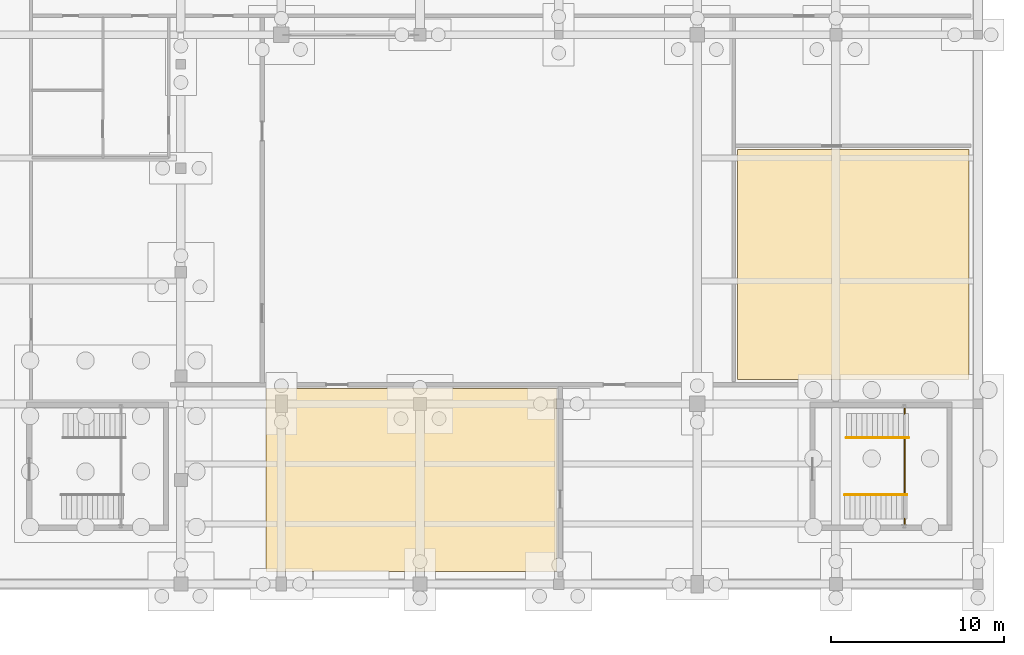
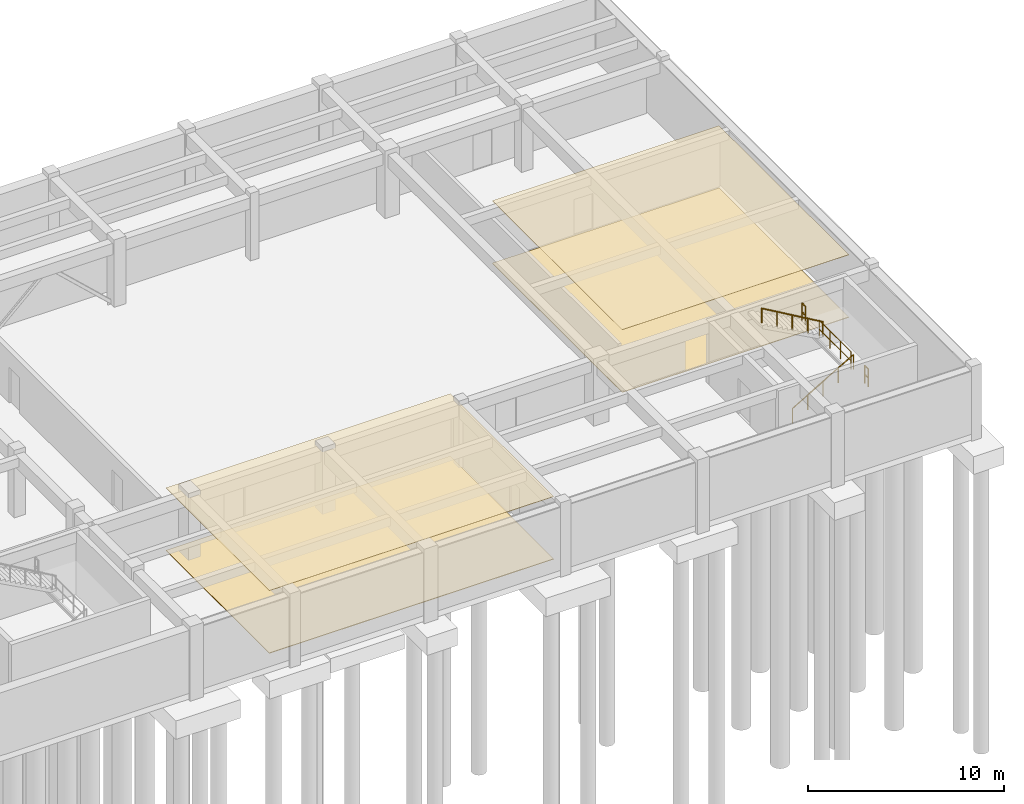
# One storey, part 35 of 36: 5 railings, 4 coverings.
"""IFC4 building model written with IfcOpenShell, lengths in metres."""

import ifcopenshell
import ifcopenshell.guid

model = None  # the IFC model being written
_history = None  # IfcOwnerHistory: only IFC2X3 demands one
_inside = {}  # id of a spatial element -> (the spatial element, [elements in it])
_under = {}  # id of a project, library or spatial element -> (it, [spatial elements below it])
_declared = {}  # id of a project -> (the project, [libraries it declares])
_typed = {}  # id of a type object -> (the type object, [elements of that type])
_made_of = {}  # id of a material, layer set ... -> (it, [elements and type objects made of it])


def new_model(schema):
    """Start an empty IFC model of exactly this schema.

    Asked for "IFC4X3", IfcOpenShell would pick the latest addendum, in which some entities
    have other attributes; the version numbers below select the first issue.
    IFC2X3 requires an IfcOwnerHistory on every rooted entity: one is made here for all.
    """
    global model, _history
    if schema == "IFC4X3":
        model = ifcopenshell.file(schema_version=(4, 3, 0, 0))
    else:
        model = ifcopenshell.file(schema=schema)
    _inside.clear()
    _under.clear()
    _declared.clear()
    _typed.clear()
    _made_of.clear()
    _history = None
    if model.schema == "IFC2X3":
        org = make("IfcOrganization", Name="unknown")
        user = make(
            "IfcPersonAndOrganization",
            ThePerson=make("IfcPerson", FamilyName="unknown"),
            TheOrganization=org,
        )
        app = make(
            "IfcApplication",
            ApplicationDeveloper=org,
            Version="unknown",
            ApplicationFullName="unknown",
            ApplicationIdentifier="unknown",
        )
        _history = make(
            "IfcOwnerHistory",
            OwningUser=user,
            OwningApplication=app,
            ChangeAction="ADDED",
            CreationDate=0,
        )
    return model


def make(cls, **values):
    """One entity of the class cls with the attributes given. An attribute that is None is left unset."""
    return model.create_entity(
        cls, **{name: value for name, value in values.items() if value is not None}
    )


def rooted(cls, **values):
    """An entity with a GlobalId (a new one), such as an element, a storey or a relation."""
    return make(cls, GlobalId=ifcopenshell.guid.new(), OwnerHistory=_history, **values)


def si_unit(unit_type, name, prefix=None):
    """IfcSIUnit, for example si_unit("LENGTHUNIT", "METRE", prefix="MILLI")."""
    return make("IfcSIUnit", UnitType=unit_type, Prefix=prefix, Name=name)


def assignment(units):
    """IfcUnitAssignment: the units of a project."""
    return None if units is None else make("IfcUnitAssignment", Units=units)


def point(xyz):
    """IfcCartesianPoint."""
    return None if xyz is None else make("IfcCartesianPoint", Coordinates=xyz)


def direction(xyz):
    """IfcDirection."""
    return None if xyz is None else make("IfcDirection", DirectionRatios=xyz)


def frame(location, z_axis=None, x_axis=None):
    """IfcAxis2Placement3D, a coordinate frame: its origin and axes. An axis left out is left unset."""
    return make(
        "IfcAxis2Placement3D",
        Location=point(location),
        Axis=direction(z_axis),
        RefDirection=direction(x_axis),
    )


def frame_2d(location, x_axis=None):
    """IfcAxis2Placement2D, a coordinate frame in the plane: its origin and x axis."""
    return make(
        "IfcAxis2Placement2D", Location=point(location), RefDirection=direction(x_axis)
    )


def origin():
    """The frame at (0, 0, 0) with its axes left unset."""
    return frame((0.0, 0.0, 0.0))


def origin_2d():
    """The frame at (0, 0) in the plane with its x axis left unset."""
    return frame_2d((0.0, 0.0))


def place(relative_to, where):
    """IfcLocalPlacement: puts the frame where relative to a parent placement (None: the world)."""
    return make(
        "IfcLocalPlacement", PlacementRelTo=relative_to, RelativePlacement=where
    )


def context(
    kind, dimensions, precision=None, world=None, true_north=None, identifier=None
):
    """IfcGeometricRepresentationContext, for example the 3D "Model" context."""
    return make(
        "IfcGeometricRepresentationContext",
        ContextIdentifier=identifier,
        ContextType=kind,
        CoordinateSpaceDimension=dimensions,
        Precision=precision,
        WorldCoordinateSystem=world,
        TrueNorth=true_north,
    )


def subcontext(parent, identifier, kind, view, scale=None):
    """IfcGeometricRepresentationSubContext, for example "Body" below "Model"."""
    return make(
        "IfcGeometricRepresentationSubContext",
        ContextIdentifier=identifier,
        ContextType=kind,
        ParentContext=parent,
        TargetScale=scale,
        TargetView=view,
    )


def project(units=None, contexts=None):
    """IfcProject with its units and contexts."""
    return rooted(
        "IfcProject",
        Name="project",
        RepresentationContexts=contexts,
        UnitsInContext=assignment(units),
    )


def spatial(cls, under=None, at=None, **own):
    """A site, building, storey or space (cls), placed at a placement, below another one or the project."""
    s = rooted(cls, ObjectPlacement=at, **own)
    if under is not None:
        _under.setdefault(under.id(), (under, []))[1].append(s)
    return s


def polyline(points):
    """IfcPolyline through the points."""
    return make("IfcPolyline", Points=[point(p) for p in points])


def profile(cls, at=None, kind="AREA", **sizes):
    """A parametric profile (cls). Its sizes go by their IFC names, for example OverallWidth=200.0."""
    return make(cls, ProfileType=kind, Position=at, **sizes)


def circle(**sizes):
    """IfcCircleProfileDef."""
    return profile("IfcCircleProfileDef", **sizes)


def outline(outer, holes=None, kind="AREA"):
    """IfcArbitraryClosedProfileDef: a profile drawn as a closed curve; with holes, ...WithVoids."""
    if holes is None:
        return make("IfcArbitraryClosedProfileDef", ProfileType=kind, OuterCurve=outer)
    return make(
        "IfcArbitraryProfileDefWithVoids",
        ProfileType=kind,
        OuterCurve=outer,
        InnerCurves=holes,
    )


def extrude(swept, where, along, depth):
    """IfcExtrudedAreaSolid: the profile swept, set in the frame where, extruded along a direction by depth."""
    return make(
        "IfcExtrudedAreaSolid",
        SweptArea=swept,
        Position=where,
        ExtrudedDirection=direction(along),
        Depth=depth,
    )


def shape(context_of_items, identifier, shape_type, items):
    """IfcShapeRepresentation: the items that make up one representation, for example the "Body"."""
    return make(
        "IfcShapeRepresentation",
        ContextOfItems=context_of_items,
        RepresentationIdentifier=identifier,
        RepresentationType=shape_type,
        Items=items,
    )


def material(Name=None, Category=None):
    """IfcMaterial."""
    return make("IfcMaterial", Name=Name, Category=Category)


def layer(
    of_material, thickness, ventilated=None, Name=None, Category=None, Priority=None
):
    """IfcMaterialLayer: one layer of a wall or slab, of a material (None: an air gap)."""
    return make(
        "IfcMaterialLayer",
        Material=of_material,
        LayerThickness=thickness,
        IsVentilated=ventilated,
        Name=Name,
        Category=Category,
        Priority=Priority,
    )


def layer_set(layers, Name=None):
    """IfcMaterialLayerSet."""
    return make("IfcMaterialLayerSet", MaterialLayers=layers, LayerSetName=Name)


def made_of(thing, what):
    """Note that an element or type object is made of a material, layer set ...; save() writes the relation."""
    if what is not None:
        _made_of.setdefault(what.id(), (what, []))[1].append(thing)
    return thing


def type_object(cls, material=None, **own):
    """A type object (cls), such as IfcWallType, which elements share."""
    return made_of(rooted(cls, **own), material)


def element(
    cls,
    number,
    at=None,
    inside=None,
    cuts=None,
    type_object=None,
    material=None,
    context=None,
    identifier="Body",
    shape_type=None,
    held_by="IfcProductDefinitionShape",
    body=None,
    shapes=None,
    **own,
):
    """One element of the class cls, such as IfcWall. Its Tag is "e" and its number.

    at: its placement. inside: the storey or other place that contains it. cuts: it is an
    opening in that element (IfcRelVoidsElement). A single representation is given by context,
    identifier, shape_type and body (its items); several are given by shapes. held_by: the class
    of the entity that holds the representations. save() writes the other relations.
    """
    e = rooted(cls, Tag="e%d" % number, ObjectPlacement=at, **own)
    if body is not None:
        shapes = [shape(context, identifier, shape_type, body)]
    if shapes is not None:
        e.Representation = make(held_by, Representations=shapes)
    if inside is not None:
        _inside.setdefault(inside.id(), (inside, []))[1].append(e)
    if cuts is not None:
        rooted(
            "IfcRelVoidsElement", RelatingBuildingElement=cuts, RelatedOpeningElement=e
        )
    if type_object is not None:
        _typed.setdefault(type_object.id(), (type_object, []))[1].append(e)
    return made_of(e, material)


def aggregate(whole, parts):
    """IfcRelAggregates: a whole, such as a stair, and the parts it consists of."""
    return rooted("IfcRelAggregates", RelatingObject=whole, RelatedObjects=parts)


def save(model, path):
    """Write the relations noted so far, then the file.

    IfcRelAggregates (storeys below a building ...), IfcRelContainedInSpatialStructure (elements
    in a storey), IfcRelDefinesByType, IfcRelAssociatesMaterial and IfcRelDeclares: one each for
    every whole, place, type object, material and project.
    """
    for whole, parts in _under.values():
        aggregate(whole, parts)
    for where, things in _inside.values():
        rooted(
            "IfcRelContainedInSpatialStructure",
            RelatedElements=things,
            RelatingStructure=where,
        )
    for kind, things in _typed.values():
        rooted("IfcRelDefinesByType", RelatedObjects=things, RelatingType=kind)
    for what, things in _made_of.values():
        rooted("IfcRelAssociatesMaterial", RelatedObjects=things, RelatingMaterial=what)
    for by, libraries in _declared.values():
        rooted("IfcRelDeclares", RelatingContext=by, RelatedDefinitions=libraries)
    model.write(path)


model = new_model("IFC4")

# Units and contexts
model_context = context("Model", 3, precision=1e-05, world=origin(), true_north=direction((0.0, 1.0)))
body_context = subcontext(model_context, "Body", "Model", "MODEL_VIEW")
ifc_project = project(units=[si_unit("LENGTHUNIT", "METRE"), si_unit("AREAUNIT", "SQUARE_METRE"), si_unit("VOLUMEUNIT", "CUBIC_METRE"), si_unit("PLANEANGLEUNIT", "RADIAN"), si_unit("MASSUNIT", "GRAM", prefix="KILO"), si_unit("THERMODYNAMICTEMPERATUREUNIT", "KELVIN"), si_unit("POWERUNIT", "WATT")], contexts=[model_context])

# Site, building, storey
site_placement = place(None, origin())
site = spatial("IfcSite", under=ifc_project, at=site_placement, CompositionType="ELEMENT")
building_placement = place(site_placement, origin())
building = spatial("IfcBuilding", under=site, at=building_placement, Name="Solvatero Civic Police Headquarters", CompositionType="ELEMENT")
storey_placement = place(building_placement, frame((0.0, 0.0, -8.39990234375)))
storey = spatial("IfcBuildingStorey", under=building, at=storey_placement, Name="B02", CompositionType="ELEMENT", Elevation=-8.39990234375)

# Coverings
ifc_material_1 = material(Name="Mineral-Fibre Acoustic Tile", Category="gypsum")
ifc_layer_1 = layer(ifc_material_1, 0.02490234375)
ifc_layer_set_1 = layer_set([ifc_layer_1], Name="Mineral-Fibre Acoustic Tile")
covering_type_1 = type_object("IfcCoveringType", Name="COV-CEIL-AC", PredefinedType="CEILING", material=ifc_layer_set_1)
covering_1_placement = place(storey_placement, frame((0.0, 0.0, 3.89501953125)))
element("IfcCovering", 1, at=covering_1_placement, inside=storey, type_object=covering_type_1, Name="Acoustic Ceiling Central Police Armoury Strongroom", PredefinedType="CEILING", context=body_context, shape_type="SweptSolid", body=[
    extrude(outline(polyline([(127.1201171875, 5.52001953125), (127.1201171875, 16.080078125), (143.8798828125, 16.080078125), (143.8798828125, 5.52001953125), (127.1201171875, 5.52001953125)])), origin(), (0.0, 0.0, 1.0), 0.02490234375),
])
covering_2_placement = place(storey_placement, frame((0.0, 0.0, 3.89501953125)))
element("IfcCovering", 2, at=covering_2_placement, inside=storey, type_object=covering_type_1, Name="Acoustic Ceiling Potable and Fire-Sprinkler Reserve Tank Hall", PredefinedType="CEILING", context=body_context, shape_type="SweptSolid", body=[
    extrude(outline(polyline([(154.320068359375, 16.6201171875), (154.320068359375, 29.8798828125), (167.679931640625, 29.8798828125), (167.679931640625, 16.6201171875), (154.320068359375, 16.6201171875)])), origin(), (0.0, 0.0, 1.0), 0.02490234375),
])
ifc_material_2 = material(Name="Venetian Terrazzo Stone", Category="masonry")
ifc_layer_2 = layer(ifc_material_2, 0.034912109375)
ifc_layer_set_2 = layer_set([ifc_layer_2], Name="Venetian Terrazzo Stone")
covering_type_2 = type_object("IfcCoveringType", Name="COV-FLR-TER", PredefinedType="FLOORING", material=ifc_layer_set_2)
covering_3_placement = place(storey_placement, origin())
element("IfcCovering", 3, at=covering_3_placement, inside=storey, type_object=covering_type_2, Name="Flooring Central Police Armoury Strongroom", PredefinedType="FLOORING", context=body_context, shape_type="SweptSolid", body=[
    extrude(outline(polyline([(127.1201171875, 5.52001953125), (127.1201171875, 16.080078125), (143.8798828125, 16.080078125), (143.8798828125, 5.52001953125), (127.1201171875, 5.52001953125)])), origin(), (0.0, 0.0, 1.0), 0.034912109375),
])
covering_4_placement = place(storey_placement, origin())
element("IfcCovering", 4, at=covering_4_placement, inside=storey, type_object=covering_type_2, Name="Flooring Potable and Fire-Sprinkler Reserve Tank Hall", PredefinedType="FLOORING", context=body_context, shape_type="SweptSolid", body=[
    extrude(outline(polyline([(154.320068359375, 16.6201171875), (154.320068359375, 29.8798828125), (167.679931640625, 29.8798828125), (167.679931640625, 16.6201171875), (154.320068359375, 16.6201171875)])), origin(), (0.0, 0.0, 1.0), 0.034912109375),
])

# Railings
ifc_material_3 = material(Name="Painted Galvanized Steel", Category="steel")
railing_type_1 = type_object("IfcRailingType", Name="RL-GRD-110", PredefinedType="GUARDRAIL", material=ifc_material_3)
railing_1_placement = place(storey_placement, frame((163.969970703125, 9.97998046875, 2.099853515625)))
element("IfcRailing", 5, at=railing_1_placement, inside=storey, type_object=railing_type_1, Name="ST-C6 B02 Half-Landing Well Guardrail", PredefinedType="GUARDRAIL", context=body_context, shape_type="SweptSolid", body=[
    extrude(circle(Radius=0.02392578125, at=origin_2d()), frame((0.0, 0.0, 1.09619140625), z_axis=(0.0, 1.0, 0.0), x_axis=(-1.0, 0.0, 0.0)), (0.0, 0.0, 1.0), 3.239990234375),
    extrude(circle(Radius=0.02392578125, at=origin_2d()), frame((0.0, 0.0, 0.5361328125), z_axis=(0.0, 1.0, 0.0), x_axis=(-1.0, 0.0, 0.0)), (0.0, 0.0, 1.0), 3.239990234375),
    extrude(circle(Radius=0.02099609375, at=origin_2d()), origin(), (0.0, 0.0, 1.0), 1.072021484375),
    extrude(circle(Radius=0.02099609375, at=origin_2d()), frame((0.0, 1.080078125, 0.0)), (0.0, 0.0, 1.0), 1.072021484375),
    extrude(circle(Radius=0.02099609375, at=origin_2d()), frame((0.0, 2.159912109375, 0.0)), (0.0, 0.0, 1.0), 1.072021484375),
    extrude(circle(Radius=0.02099609375, at=origin_2d()), frame((0.0, 3.239990234375, 0.0)), (0.0, 0.0, 1.0), 1.072021484375),
])
for number, where, name in (
    (6, (163.969970703125, 8.2099609375, 2.099853515625), "ST-C6 B02 Half-Landing South Slot Guardrail"),
    (7, (163.969970703125, 14.6298828125, 2.099853515625), "ST-C6 B02 Half-Landing North Slot Guardrail"),
):
    element("IfcRailing", number, at=place(storey_placement, frame(where)), inside=storey, type_object=railing_type_1, Name=name, PredefinedType="GUARDRAIL", context=body_context, shape_type="SweptSolid", body=[
        extrude(circle(Radius=0.02392578125, at=origin_2d()), frame((0.0, 0.0, 1.09619140625), z_axis=(0.0, 1.0, 0.0), x_axis=(-1.0, 0.0, 0.0)), (0.0, 0.0, 1.0), 0.360107421875),
        extrude(circle(Radius=0.02392578125, at=origin_2d()), frame((0.0, 0.0, 0.5361328125), z_axis=(0.0, 1.0, 0.0), x_axis=(-1.0, 0.0, 0.0)), (0.0, 0.0, 1.0), 0.360107421875),
        extrude(circle(Radius=0.02099609375, at=origin_2d()), origin(), (0.0, 0.0, 1.0), 1.072021484375),
        extrude(circle(Radius=0.02099609375, at=origin_2d()), frame((0.0, 0.360107421875, 0.0)), (0.0, 0.0, 1.0), 1.072021484375),
    ])
ifc_material_4 = material(Name="Brushed Stainless Steel", Category="steel")
railing_type_2 = type_object("IfcRailingType", Name="RL-HND-092", PredefinedType="HANDRAIL", material=ifc_material_4)
railing_2_placement = place(storey_placement, frame((160.5, 9.949951171875, 0.0)))
element("IfcRailing", 8, at=railing_2_placement, inside=storey, type_object=railing_type_2, Name="ST-C6 B02 Flight 1 Handrail", PredefinedType="HANDRAIL", context=body_context, shape_type="SweptSolid", body=[
    extrude(circle(Radius=0.02392578125, at=origin_2d()), frame((0.0, 0.0, 0.89599609375), z_axis=(0.863800146258, 0.0, 0.503834603144), x_axis=(0.0, 1.0, 0.0)), (0.0, 0.0, 1.0), 4.167724609375),
    extrude(circle(Radius=0.02099609375, at=origin_2d()), origin(), (0.0, 0.0, 1.0), 0.871826171875),
    extrude(circle(Radius=0.02099609375, at=origin_2d()), frame((0.89990234375, 0.0, 0.52490234375)), (0.0, 0.0, 1.0), 0.871826171875),
    extrude(circle(Radius=0.02099609375, at=origin_2d()), frame((1.800048828125, 0.0, 1.0498046875)), (0.0, 0.0, 1.0), 0.871826171875),
    extrude(circle(Radius=0.02099609375, at=origin_2d()), frame((2.7001953125, 0.0, 1.574951171875)), (0.0, 0.0, 1.0), 0.871826171875),
    extrude(circle(Radius=0.02099609375, at=origin_2d()), frame((3.60009765625, 0.0, 2.099853515625)), (0.0, 0.0, 1.0), 0.871826171875),
])
railing_3_placement = place(storey_placement, frame((164.199951171875, 13.25, 2.099853515625)))
element("IfcRailing", 9, at=railing_3_placement, inside=storey, type_object=railing_type_2, Name="ST-C6 B02 Flight 2 Handrail", PredefinedType="HANDRAIL", context=body_context, shape_type="SweptSolid", body=[
    extrude(circle(Radius=0.02392578125, at=origin_2d()), frame((0.0, 0.0, 0.89599609375), z_axis=(-0.863759778359, 0.0, 0.503903805591), x_axis=(0.0, -1.0, 0.0)), (0.0, 0.0, 1.0), 4.167724609375),
    extrude(circle(Radius=0.02099609375, at=origin_2d()), origin(), (0.0, 0.0, 1.0), 0.871826171875),
    extrude(circle(Radius=0.02099609375, at=origin_2d()), frame((-0.89990234375, 0.0, 0.52490234375)), (0.0, 0.0, 1.0), 0.871826171875),
    extrude(circle(Radius=0.02099609375, at=origin_2d()), frame((-1.7998046875, 0.0, 1.050048828125)), (0.0, 0.0, 1.0), 0.871826171875),
    extrude(circle(Radius=0.02099609375, at=origin_2d()), frame((-2.699951171875, 0.0, 1.5751953125)), (0.0, 0.0, 1.0), 0.871826171875),
    extrude(circle(Radius=0.02099609375, at=origin_2d()), frame((-3.599853515625, 0.0, 2.10009765625)), (0.0, 0.0, 1.0), 0.871826171875),
])

save(model, "model.ifc")
